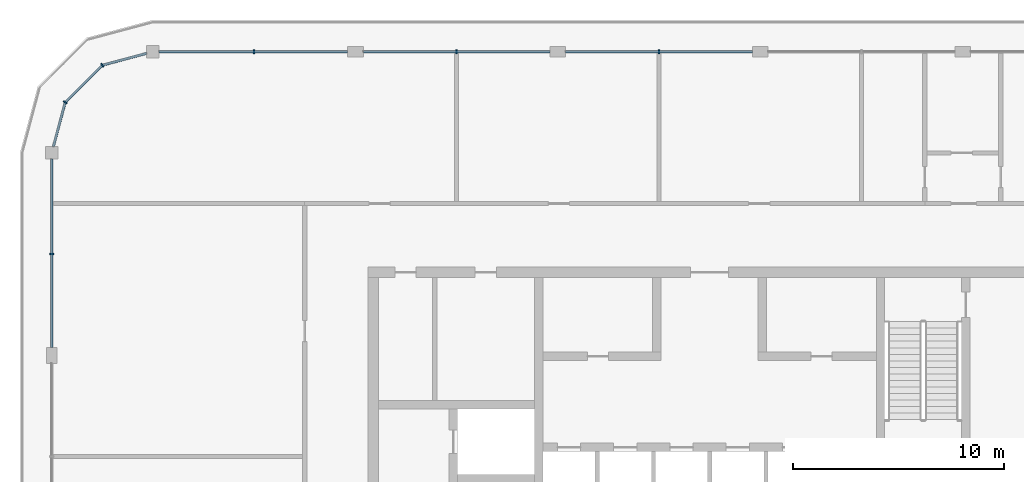
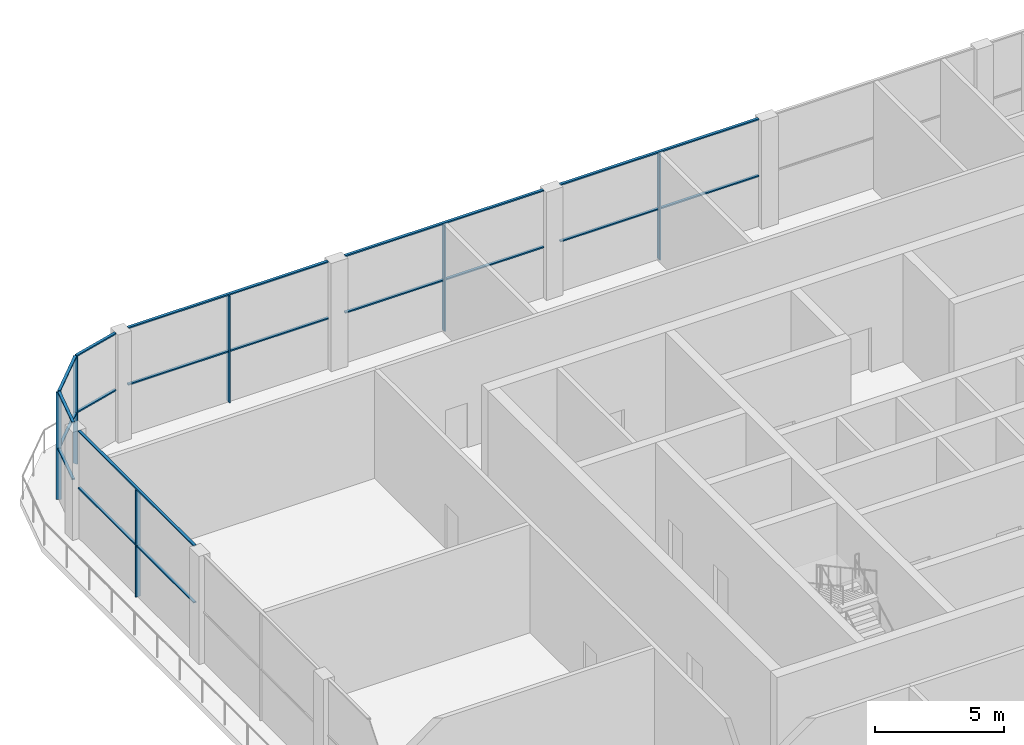
# One storey, part 5 of 15: 24 members, 5 elements without a shape of their own.
"""IFC4 building model written with IfcOpenShell, lengths in metres."""

from ifc_helpers import new_model, si_unit, direction, frame, origin, origin_2d, place, context, subcontext, project, spatial, rectangle, extrude, material, layer, layer_set, material_profile, profile_set, type_object, element, aggregate, save


model = new_model("IFC4")

# Units and contexts
model_context = context("Model", 3, precision=1e-05, world=origin(), true_north=direction((0.0, 1.0)))
body_context = subcontext(model_context, "Body", "Model", "MODEL_VIEW")
ifc_project = project(units=[si_unit("LENGTHUNIT", "METRE"), si_unit("AREAUNIT", "SQUARE_METRE"), si_unit("VOLUMEUNIT", "CUBIC_METRE"), si_unit("PLANEANGLEUNIT", "RADIAN"), si_unit("MASSUNIT", "GRAM", prefix="KILO")], contexts=[model_context])

# Site, building, storey
site_placement = place(None, origin())
site = spatial("IfcSite", under=ifc_project, at=site_placement, CompositionType="ELEMENT")
building_placement = place(site_placement, origin())
building = spatial("IfcBuilding", under=site, at=building_placement, Name="Madar Terraces", CompositionType="ELEMENT")
storey_placement = place(building_placement, frame((0.0, 0.0, 286.10009765625)))
storey = spatial("IfcBuildingStorey", under=building, at=storey_placement, Name="L75", CompositionType="ELEMENT", Elevation=286.10009765625)

# Curtain wall, member
ifc_material_1 = material(Name="Glass, clear low-iron, with black aluminium frame", Category="aluminium")
ifc_layer = layer(ifc_material_1, 0.199951171875)
ifc_layer_set = layer_set([ifc_layer], Name="Facade curtain wall, observation glazing")
curtain_wall_type = type_object("IfcCurtainWallType", Name="Facade curtain wall, observation glazing", PredefinedType="NOTDEFINED", material=ifc_layer_set)
curtain_wall_1_placement = place(storey_placement, origin())
curtain_wall_1 = element("IfcCurtainWall", 1, at=curtain_wall_1_placement, inside=storey, type_object=curtain_wall_type, Name="Outer skin curtain wall north bay 3", PredefinedType="NOTDEFINED")
ifc_material_2 = material(Name="Aluminium, black anodised", Category="aluminium")
ifc_material_profile_1 = material_profile(ifc_material_2, rectangle(XDim=0.199951171875, YDim=0.06005859375, at=origin_2d()), Name="Facade mullion 60x200")
ifc_profile_set_1 = profile_set([ifc_material_profile_1], Name="Aluminium, black anodised")
member_type_1 = type_object("IfcMemberType", Name="Facade mullion 60x200", PredefinedType="MULLION", material=ifc_profile_set_1)
member_1_placement = place(storey_placement, frame((28.800048828125, 48.0, 0.0), z_axis=(0.0, 0.0, 1.0), x_axis=(0.0, -1.0, 0.0)))
member_1 = element("IfcMember", 2, at=member_1_placement, type_object=member_type_1, Name="Mullion 1", PredefinedType="MULLION", context=body_context, shape_type="SweptSolid", body=[
    extrude(rectangle(XDim=0.199951171875, YDim=0.06005859375, at=origin_2d()), origin(), (0.0, 0.0, 1.0), 5.039794921875),
])

curtain_wall_2_placement = place(storey_placement, origin())
curtain_wall_2 = element("IfcCurtainWall", 3, at=curtain_wall_2_placement, inside=storey, type_object=curtain_wall_type, Name="Outer skin curtain wall north bay 4", PredefinedType="NOTDEFINED")
member_2_placement = place(storey_placement, frame((19.199951171875, 48.0, 0.0), z_axis=(0.0, 0.0, 1.0), x_axis=(0.0, -1.0, 0.0)))
member_2 = element("IfcMember", 4, at=member_2_placement, type_object=member_type_1, Name="Mullion 1", PredefinedType="MULLION", context=body_context, shape_type="SweptSolid", body=[
    extrude(rectangle(XDim=0.199951171875, YDim=0.06005859375, at=origin_2d()), origin(), (0.0, 0.0, 1.0), 5.039794921875),
])

curtain_wall_3_placement = place(storey_placement, origin())
curtain_wall_3 = element("IfcCurtainWall", 5, at=curtain_wall_3_placement, inside=storey, type_object=curtain_wall_type, Name="Outer skin curtain wall north bay 5", PredefinedType="NOTDEFINED")
member_3_placement = place(storey_placement, frame((9.60009765625, 48.0, 0.0), z_axis=(0.0, 0.0, 1.0), x_axis=(0.0, -1.0, 0.0)))
member_3 = element("IfcMember", 6, at=member_3_placement, type_object=member_type_1, Name="Mullion 1", PredefinedType="MULLION", context=body_context, shape_type="SweptSolid", body=[
    extrude(rectangle(XDim=0.199951171875, YDim=0.06005859375, at=origin_2d()), origin(), (0.0, 0.0, 1.0), 5.039794921875),
])

curtain_wall_4_placement = place(storey_placement, origin())
curtain_wall_4 = element("IfcCurtainWall", 7, at=curtain_wall_4_placement, inside=storey, type_object=curtain_wall_type, Name="Outer skin curtain wall west bay 1", PredefinedType="NOTDEFINED")
member_4_placement = place(storey_placement, frame((0.0, 38.39990234375, 0.0), z_axis=(0.0, 0.0, 1.0), x_axis=(1.0, 0.0, 0.0)))
member_4 = element("IfcMember", 8, at=member_4_placement, type_object=member_type_1, Name="Mullion 1", PredefinedType="MULLION", context=body_context, shape_type="SweptSolid", body=[
    extrude(rectangle(XDim=0.199951171875, YDim=0.06005859375, at=origin_2d()), origin(), (0.0, 0.0, 1.0), 5.039794921875),
])

# Curtain wall, members
curtain_wall_5_placement = place(storey_placement, origin())
curtain_wall_5 = element("IfcCurtainWall", 9, at=curtain_wall_5_placement, inside=storey, type_object=curtain_wall_type, Name="Outer skin curtain wall north-west corner", PredefinedType="NOTDEFINED")
member_5_placement = place(storey_placement, frame((2.39990234375, 47.35693359375, 0.0), z_axis=(0.0, 0.0, 1.0), x_axis=(0.499999989586, -0.866025409797, 0.0)))
member_5 = element("IfcMember", 10, at=member_5_placement, type_object=member_type_1, Name="Mullion 1", PredefinedType="MULLION", context=body_context, shape_type="SweptSolid", body=[
    extrude(rectangle(XDim=0.199951171875, YDim=0.06005859375, at=origin_2d()), origin(), (0.0, 0.0, 1.0), 5.039794921875),
])
member_6_placement = place(storey_placement, frame((0.64306640625, 45.60009765625, 0.0), z_axis=(0.0, 0.0, 1.0), x_axis=(0.866025409797, -0.499999989586, 0.0)))
member_6 = element("IfcMember", 11, at=member_6_placement, type_object=member_type_1, Name="Mullion 2", PredefinedType="MULLION", context=body_context, shape_type="SweptSolid", body=[
    extrude(rectangle(XDim=0.199951171875, YDim=0.06005859375, at=origin_2d()), origin(), (0.0, 0.0, 1.0), 5.039794921875),
])

# Member
ifc_material_3 = material(Name="Aluminium, black anodised", Category="aluminium")
ifc_material_profile_2 = material_profile(ifc_material_3, rectangle(XDim=0.1201171875, YDim=0.06005859375, at=origin_2d()), Name="Facade transom 60x120")
ifc_profile_set_2 = profile_set([ifc_material_profile_2], Name="Aluminium, black anodised")
member_type_2 = type_object("IfcMemberType", Name="Facade transom 60x120", PredefinedType="USERDEFINED", material=ifc_profile_set_2)
member_7_placement = place(storey_placement, frame((33.22509765625, 48.0, 5.06982421875), z_axis=(-1.0, 0.0, 0.0), x_axis=(0.0, -1.0, 0.0)))
member_7 = element("IfcMember", 12, at=member_7_placement, type_object=member_type_2, Name="Transom 1", ObjectType="TRANSOM", PredefinedType="USERDEFINED", context=body_context, shape_type="SweptSolid", body=[
    extrude(rectangle(XDim=0.1201171875, YDim=0.06005859375, at=origin_2d()), origin(), (0.0, 0.0, 1.0), 8.85009765625),
])

member_8_placement = place(storey_placement, frame((33.22509765625, 48.0, 2.39990234375), z_axis=(-1.0, 0.0, 0.0), x_axis=(0.0, -1.0, 0.0)))
member_8 = element("IfcMember", 13, at=member_8_placement, type_object=member_type_2, Name="Transom 2", ObjectType="TRANSOM", PredefinedType="USERDEFINED", context=body_context, shape_type="SweptSolid", body=[
    extrude(rectangle(XDim=0.1201171875, YDim=0.06005859375, at=origin_2d()), origin(), (0.0, 0.0, 1.0), 4.39501953125),
])

member_9_placement = place(storey_placement, frame((28.77001953125, 48.0, 2.39990234375), z_axis=(-1.0, 0.0, 0.0), x_axis=(0.0, -1.0, 0.0)))
member_9 = element("IfcMember", 14, at=member_9_placement, type_object=member_type_2, Name="Transom 3", ObjectType="TRANSOM", PredefinedType="USERDEFINED", context=body_context, shape_type="SweptSolid", body=[
    extrude(rectangle(XDim=0.1201171875, YDim=0.06005859375, at=origin_2d()), origin(), (0.0, 0.0, 1.0), 4.39501953125),
])

aggregate(curtain_wall_1, [member_1, member_7, member_8, member_9])

member_10_placement = place(storey_placement, frame((23.625, 48.0, 5.06982421875), z_axis=(-1.0, 0.0, 0.0), x_axis=(0.0, -1.0, 0.0)))
member_10 = element("IfcMember", 15, at=member_10_placement, type_object=member_type_2, Name="Transom 1", ObjectType="TRANSOM", PredefinedType="USERDEFINED", context=body_context, shape_type="SweptSolid", body=[
    extrude(rectangle(XDim=0.1201171875, YDim=0.06005859375, at=origin_2d()), origin(), (0.0, 0.0, 1.0), 8.85009765625),
])

member_11_placement = place(storey_placement, frame((23.625, 48.0, 2.39990234375), z_axis=(-1.0, 0.0, 0.0), x_axis=(0.0, -1.0, 0.0)))
member_11 = element("IfcMember", 16, at=member_11_placement, type_object=member_type_2, Name="Transom 2", ObjectType="TRANSOM", PredefinedType="USERDEFINED", context=body_context, shape_type="SweptSolid", body=[
    extrude(rectangle(XDim=0.1201171875, YDim=0.06005859375, at=origin_2d()), origin(), (0.0, 0.0, 1.0), 4.39501953125),
])

member_12_placement = place(storey_placement, frame((19.169921875, 48.0, 2.39990234375), z_axis=(-1.0, 0.0, 0.0), x_axis=(0.0, -1.0, 0.0)))
member_12 = element("IfcMember", 17, at=member_12_placement, type_object=member_type_2, Name="Transom 3", ObjectType="TRANSOM", PredefinedType="USERDEFINED", context=body_context, shape_type="SweptSolid", body=[
    extrude(rectangle(XDim=0.1201171875, YDim=0.06005859375, at=origin_2d()), origin(), (0.0, 0.0, 1.0), 4.39501953125),
])

aggregate(curtain_wall_2, [member_2, member_10, member_11, member_12])

member_13_placement = place(storey_placement, frame((14.02490234375, 48.0, 5.06982421875), z_axis=(-1.0, 0.0, 0.0), x_axis=(0.0, -1.0, 0.0)))
member_13 = element("IfcMember", 18, at=member_13_placement, type_object=member_type_2, Name="Transom 1", ObjectType="TRANSOM", PredefinedType="USERDEFINED", context=body_context, shape_type="SweptSolid", body=[
    extrude(rectangle(XDim=0.1201171875, YDim=0.06005859375, at=origin_2d()), origin(), (0.0, 0.0, 1.0), 8.9248046875),
])

member_14_placement = place(storey_placement, frame((14.02490234375, 48.0, 2.39990234375), z_axis=(-1.0, 0.0, 0.0), x_axis=(0.0, -1.0, 0.0)))
member_14 = element("IfcMember", 19, at=member_14_placement, type_object=member_type_2, Name="Transom 2", ObjectType="TRANSOM", PredefinedType="USERDEFINED", context=body_context, shape_type="SweptSolid", body=[
    extrude(rectangle(XDim=0.1201171875, YDim=0.06005859375, at=origin_2d()), origin(), (0.0, 0.0, 1.0), 4.39501953125),
])

member_15_placement = place(storey_placement, frame((9.570068359375, 48.0, 2.39990234375), z_axis=(-1.0, 0.0, 0.0), x_axis=(0.0, -1.0, 0.0)))
member_15 = element("IfcMember", 20, at=member_15_placement, type_object=member_type_2, Name="Transom 3", ObjectType="TRANSOM", PredefinedType="USERDEFINED", context=body_context, shape_type="SweptSolid", body=[
    extrude(rectangle(XDim=0.1201171875, YDim=0.06005859375, at=origin_2d()), origin(), (0.0, 0.0, 1.0), 4.469970703125),
])

aggregate(curtain_wall_3, [member_3, member_13, member_14, member_15])

member_16_placement = place(storey_placement, frame((0.0, 42.89990234375, 5.06982421875), z_axis=(0.0, -1.0, 0.0), x_axis=(1.0, 0.0, 0.0)))
member_16 = element("IfcMember", 21, at=member_16_placement, type_object=member_type_2, Name="Transom 1", ObjectType="TRANSOM", PredefinedType="USERDEFINED", context=body_context, shape_type="SweptSolid", body=[
    extrude(rectangle(XDim=0.1201171875, YDim=0.06005859375, at=origin_2d()), origin(), (0.0, 0.0, 1.0), 8.9248046875),
])

member_17_placement = place(storey_placement, frame((0.0, 42.89990234375, 2.39990234375), z_axis=(0.0, -1.0, 0.0), x_axis=(1.0, 0.0, 0.0)))
member_17 = element("IfcMember", 22, at=member_17_placement, type_object=member_type_2, Name="Transom 2", ObjectType="TRANSOM", PredefinedType="USERDEFINED", context=body_context, shape_type="SweptSolid", body=[
    extrude(rectangle(XDim=0.1201171875, YDim=0.06005859375, at=origin_2d()), origin(), (0.0, 0.0, 1.0), 4.469970703125),
])

member_18_placement = place(storey_placement, frame((0.0, 38.3701171875, 2.39990234375), z_axis=(0.0, -1.0, 0.0), x_axis=(1.0, 0.0, 0.0)))
member_18 = element("IfcMember", 23, at=member_18_placement, type_object=member_type_2, Name="Transom 3", ObjectType="TRANSOM", PredefinedType="USERDEFINED", context=body_context, shape_type="SweptSolid", body=[
    extrude(rectangle(XDim=0.1201171875, YDim=0.06005859375, at=origin_2d()), origin(), (0.0, 0.0, 1.0), 4.39501953125),
])

aggregate(curtain_wall_4, [member_4, member_16, member_17, member_18])

member_19_placement = place(storey_placement, frame((4.5, 47.919677734375, 5.06982421875), z_axis=(-0.965926196336, -0.258817664066, 0.0), x_axis=(0.258817664066, -0.965926196336, 0.0)))
member_19 = element("IfcMember", 24, at=member_19_placement, type_object=member_type_2, Name="Transom 1", ObjectType="TRANSOM", PredefinedType="USERDEFINED", context=body_context, shape_type="SweptSolid", body=[
    extrude(rectangle(XDim=0.1201171875, YDim=0.06005859375, at=origin_2d()), origin(), (0.0, 0.0, 1.0), 2.14404296875),
])

member_20_placement = place(storey_placement, frame((4.5, 47.919677734375, 2.39990234375), z_axis=(-0.965926196336, -0.258817664066, 0.0), x_axis=(0.258817664066, -0.965926196336, 0.0)))
member_20 = element("IfcMember", 25, at=member_20_placement, type_object=member_type_2, Name="Transom 2", ObjectType="TRANSOM", PredefinedType="USERDEFINED", context=body_context, shape_type="SweptSolid", body=[
    extrude(rectangle(XDim=0.1201171875, YDim=0.06005859375, at=origin_2d()), origin(), (0.0, 0.0, 1.0), 2.14404296875),
])

member_21_placement = place(storey_placement, frame((2.37890625, 47.335693359375, 5.06982421875), z_axis=(-0.707106781187, -0.707106781187, 0.0), x_axis=(0.707106781187, -0.707106781187, 0.0)))
member_21 = element("IfcMember", 26, at=member_21_placement, type_object=member_type_2, Name="Transom 3", ObjectType="TRANSOM", PredefinedType="USERDEFINED", context=body_context, shape_type="SweptSolid", body=[
    extrude(rectangle(XDim=0.1201171875, YDim=0.06005859375, at=origin_2d()), origin(), (0.0, 0.0, 1.0), 2.4248046875),
])

member_22_placement = place(storey_placement, frame((2.37890625, 47.335693359375, 2.39990234375), z_axis=(-0.707106781187, -0.707106781187, 0.0), x_axis=(0.707106781187, -0.707106781187, 0.0)))
member_22 = element("IfcMember", 27, at=member_22_placement, type_object=member_type_2, Name="Transom 4", ObjectType="TRANSOM", PredefinedType="USERDEFINED", context=body_context, shape_type="SweptSolid", body=[
    extrude(rectangle(XDim=0.1201171875, YDim=0.06005859375, at=origin_2d()), origin(), (0.0, 0.0, 1.0), 2.4248046875),
])

member_23_placement = place(storey_placement, frame((0.63525390625, 45.571044921875, 5.06982421875), z_axis=(-0.258817664066, -0.965926196336, 0.0), x_axis=(0.965926196336, -0.258817664066, 0.0)))
member_23 = element("IfcMember", 28, at=member_23_placement, type_object=member_type_2, Name="Transom 5", ObjectType="TRANSOM", PredefinedType="USERDEFINED", context=body_context, shape_type="SweptSolid", body=[
    extrude(rectangle(XDim=0.1201171875, YDim=0.06005859375, at=origin_2d()), origin(), (0.0, 0.0, 1.0), 2.14404296875),
])

member_24_placement = place(storey_placement, frame((0.63525390625, 45.571044921875, 2.39990234375), z_axis=(-0.258817664066, -0.965926196336, 0.0), x_axis=(0.965926196336, -0.258817664066, 0.0)))
member_24 = element("IfcMember", 29, at=member_24_placement, type_object=member_type_2, Name="Transom 6", ObjectType="TRANSOM", PredefinedType="USERDEFINED", context=body_context, shape_type="SweptSolid", body=[
    extrude(rectangle(XDim=0.1201171875, YDim=0.06005859375, at=origin_2d()), origin(), (0.0, 0.0, 1.0), 2.14404296875),
])

aggregate(curtain_wall_5, [member_5, member_19, member_20, member_6, member_21, member_22, member_23, member_24])

save(model, "model.ifc")
